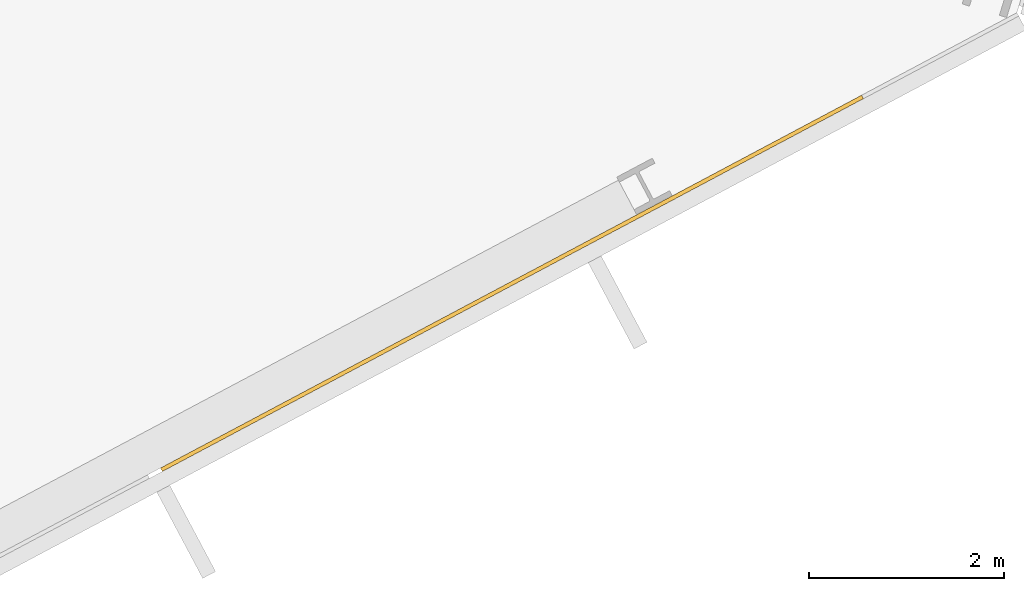
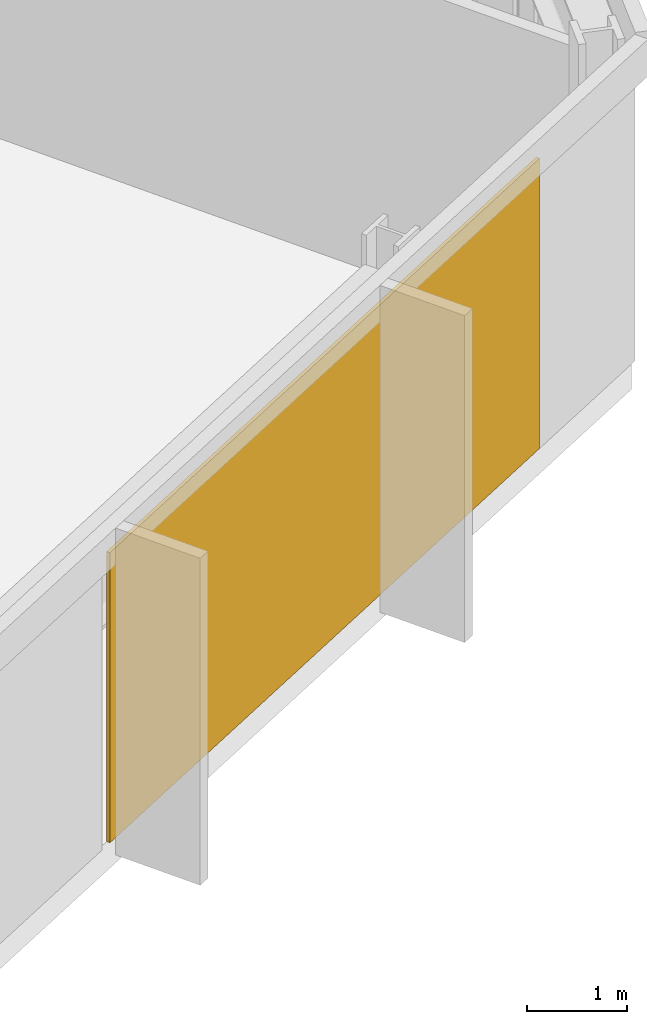
# One storey, part 26 of 28: 1 covering, 1 element without a shape of its own.
"""IFC4 building model written with IfcOpenShell, lengths in metres."""

from ifc_helpers import new_model, si_unit, direction, frame, origin, origin_2d, place, context, subcontext, project, spatial, rectangle, extrude, material, layer, layer_set, type_object, element, aggregate, save


model = new_model("IFC4")

# Units and contexts
model_context = context("Model", 3, precision=1e-05, world=origin(), true_north=direction((0.0, 1.0)))
body_context = subcontext(model_context, "Body", "Model", "MODEL_VIEW")
ifc_project = project(units=[si_unit("LENGTHUNIT", "METRE"), si_unit("AREAUNIT", "SQUARE_METRE"), si_unit("VOLUMEUNIT", "CUBIC_METRE"), si_unit("PLANEANGLEUNIT", "RADIAN"), si_unit("MASSUNIT", "GRAM", prefix="KILO")], contexts=[model_context])

# Site, building, storey
site_placement = place(None, origin())
site = spatial("IfcSite", under=ifc_project, at=site_placement, CompositionType="ELEMENT")
building_placement = place(site_placement, origin())
building = spatial("IfcBuilding", under=site, at=building_placement, Name="Cormorant Relay Tower", CompositionType="ELEMENT")
storey_placement = place(building_placement, frame((0.0, 0.0, 150.199951171875)))
storey = spatial("IfcBuildingStorey", under=building, at=storey_placement, Name="L31", CompositionType="ELEMENT", Elevation=150.199951171875)

# Curtain wall, covering
ifc_material_1 = material(Name="Aluminium 6063-T6 anodised bronze", Category="aluminium")
ifc_layer_1 = layer(ifc_material_1, 0.199951171875)
ifc_layer_set_1 = layer_set([ifc_layer_1], Name="CW1 unitised bronze curtain wall with vertical fins")
curtain_wall_type = type_object("IfcCurtainWallType", Name="CW1 unitised bronze curtain wall with vertical fins", PredefinedType="NOTDEFINED", material=ifc_layer_set_1)
curtain_wall_placement = place(storey_placement, origin())
curtain_wall = element("IfcCurtainWall", 1, at=curtain_wall_placement, inside=storey, type_object=curtain_wall_type, Name="CW1 curtain wall 4", PredefinedType="NOTDEFINED")
ifc_material_2 = material(Name="Pale bronze anodised aluminium insulated panel", Category="aluminium")
ifc_layer_2 = layer(ifc_material_2, 0.0400390625)
ifc_layer_set_2 = layer_set([ifc_layer_2], Name="CW1 pale bronze insulated panel 40")
covering_type = type_object("IfcCoveringType", Name="CW1 pale bronze insulated panel 40", PredefinedType="CLADDING", material=ifc_layer_set_2)
covering_placement = place(storey_placement, frame((50.54931640625, 5.336181640625, 0.0), z_axis=(0.0, 0.0, 1.0), x_axis=(0.882947592859, 0.469471562786, 0.0)))
covering = element("IfcCovering", 2, at=covering_placement, type_object=covering_type, Name="CW1 panel S04", PredefinedType="CLADDING", context=body_context, shape_type="SweptSolid", body=[
    extrude(rectangle(XDim=8.125, YDim=0.0400390625, at=origin_2d()), origin(), (0.0, 0.0, 1.0), 3.550048828125),
])
aggregate(curtain_wall, [covering])

save(model, "model.ifc")
